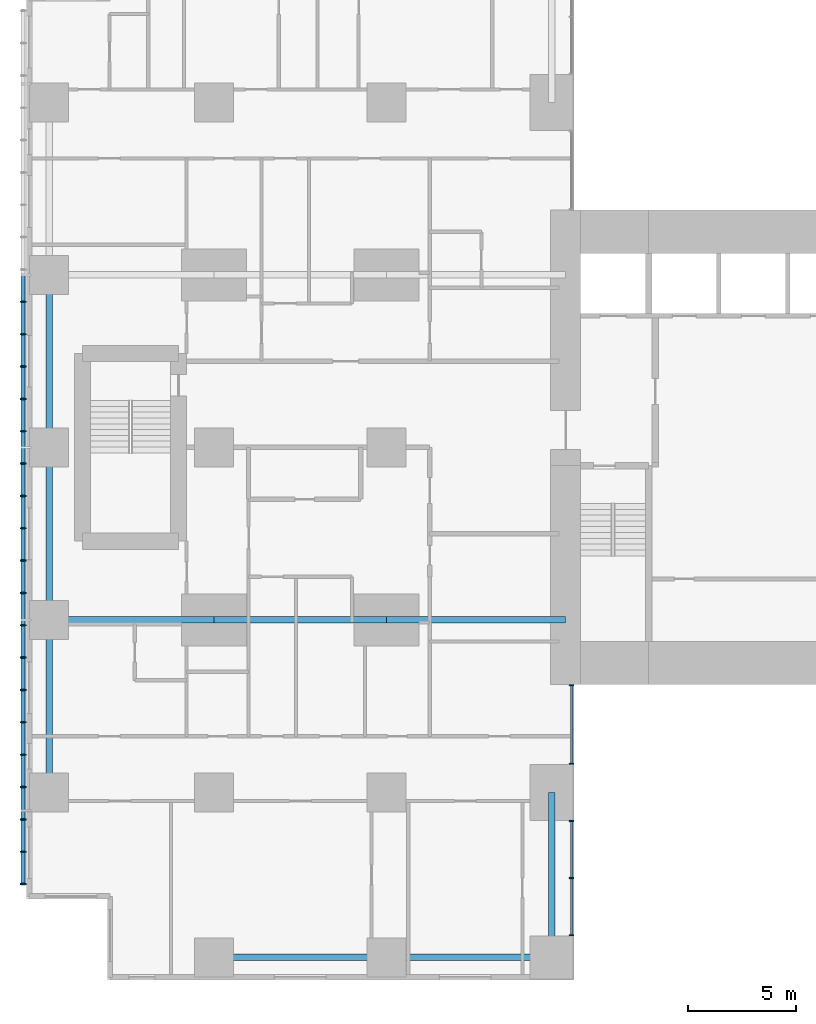
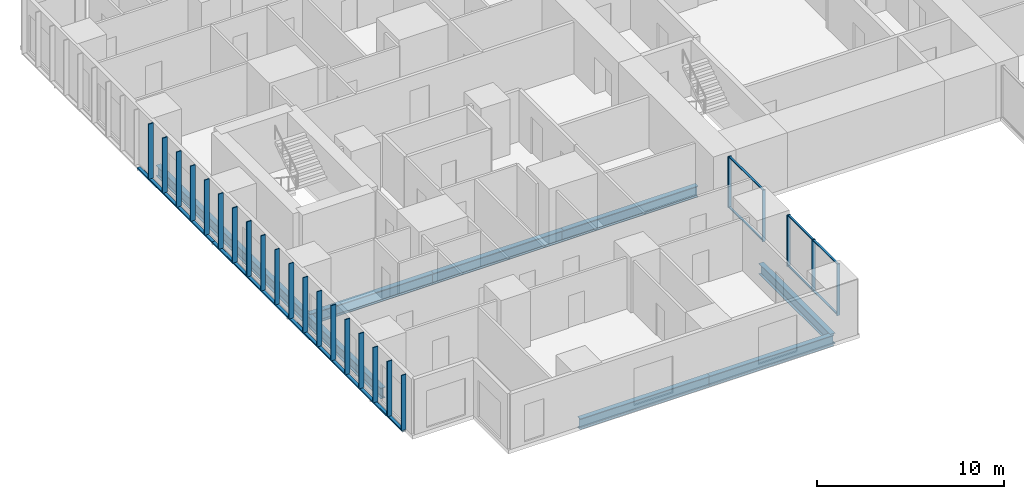
# One storey, part 2 of 20: 33 members, 9 beams, 2 elements without a shape of their own.
"""IFC4 building model written with IfcOpenShell, lengths in metres."""

from ifc_helpers import new_model, si_unit, direction, frame, origin, origin_2d, place, context, subcontext, project, spatial, rectangle, hollow_rectangle, i_section, extrude, material, layer, layer_set, material_profile, profile_set, type_object, element, aggregate, save


model = new_model("IFC4")

# Units and contexts
model_context = context("Model", 3, precision=1e-05, world=origin(), true_north=direction((0.0, 1.0)))
body_context = subcontext(model_context, "Body", "Model", "MODEL_VIEW")
ifc_project = project(units=[si_unit("LENGTHUNIT", "METRE"), si_unit("AREAUNIT", "SQUARE_METRE"), si_unit("VOLUMEUNIT", "CUBIC_METRE"), si_unit("PLANEANGLEUNIT", "RADIAN"), si_unit("MASSUNIT", "GRAM", prefix="KILO")], contexts=[model_context])

# Site, building, storey
site_placement = place(None, origin())
site = spatial("IfcSite", under=ifc_project, at=site_placement, CompositionType="ELEMENT")
building_placement = place(site_placement, origin())
building = spatial("IfcBuilding", under=site, at=building_placement, Name="Cleftline Residences", CompositionType="ELEMENT")
storey_placement = place(building_placement, frame((0.0, 0.0, 211.0)))
storey = spatial("IfcBuildingStorey", under=building, at=storey_placement, Name="L55", CompositionType="ELEMENT", Elevation=211.0)

# Members
ifc_material_1 = material(Name="Steel S355, hot-dip galvanised", Category="steel")
ifc_material_profile_1 = material_profile(ifc_material_1, hollow_rectangle(XDim=0.10009765625, YDim=0.199951171875, WallThickness=0.008056640625, InnerFilletRadius=0.008056640625, OuterFilletRadius=0.011962890625, at=origin_2d()))
ifc_profile_set_1 = profile_set([ifc_material_profile_1], Name="Steel S355, hot-dip galvanised")
member_type_1 = type_object("IfcMemberType", Name="BAGUETTE CARRIER RHS 200X100X8", PredefinedType="USERDEFINED", material=ifc_profile_set_1)
for number, where, z_axis, x_axis, name in (
    (1, (-0.85009765625, 32.0, -0.050048828125), (0.0, -1.0, 0.0), (0.0, 0.0, 1.0), "Baguette carrier"),
    (2, (-0.85009765625, 24.0, -0.050048828125), (0.0, -1.0, 0.0), (0.0, 0.0, 1.0), "Baguette carrier"),
):
    element("IfcMember", number, at=place(storey_placement, frame(where, z_axis=z_axis, x_axis=x_axis)), inside=storey, type_object=member_type_1, Name=name, ObjectType="BAGUETTE CARRIER", PredefinedType="USERDEFINED", context=body_context, shape_type="SweptSolid", body=[
        extrude(hollow_rectangle(XDim=0.10009765625, YDim=0.199951171875, WallThickness=0.008056640625, InnerFilletRadius=0.008056640625, OuterFilletRadius=0.011962890625, at=origin_2d()), origin(), (0.0, 0.0, 1.0), 8.0),
    ])
member_1_placement = place(storey_placement, frame((-0.85009765625, 16.0, -0.050048828125), z_axis=(0.0, -1.0, 0.0), x_axis=(0.0, 0.0, 1.0)))
element("IfcMember", 3, at=member_1_placement, inside=storey, type_object=member_type_1, Name="Baguette carrier", ObjectType="BAGUETTE CARRIER", PredefinedType="USERDEFINED", context=body_context, shape_type="SweptSolid", body=[
    extrude(hollow_rectangle(XDim=0.10009765625, YDim=0.199951171875, WallThickness=0.008056640625, InnerFilletRadius=0.008056640625, OuterFilletRadius=0.011962890625, at=origin_2d()), origin(), (0.0, 0.0, 1.0), 12.300048828125),
])

# Beams
ifc_material_2 = material(Name="Steel S355", Category="steel")
ifc_material_profile_2 = material_profile(ifc_material_2, i_section(OverallWidth=0.300048828125, OverallDepth=0.699951171875, WebThickness=0.01708984375, FlangeThickness=0.031982421875, FilletRadius=0.027099609375, at=origin_2d()))
ifc_profile_set_2 = profile_set([ifc_material_profile_2], Name="Steel S355")
beam_type_1 = type_object("IfcBeamType", Name="BEAM HEB 700", PredefinedType="BEAM", material=ifc_profile_set_2)
for number, where, z_axis, x_axis, name in (
    (4, (0.35009765625, 8.0, -0.60009765625), (0.0, 1.0, 0.0), (-1.0, 0.0, 0.0), "Edge beam"),
    (5, (0.35009765625, 16.0, -0.60009765625), (0.0, 1.0, 0.0), (-1.0, 0.0, 0.0), "Edge beam"),
    (6, (0.35009765625, 24.0, -0.60009765625), (0.0, 1.0, 0.0), (-1.0, 0.0, 0.0), "Edge beam"),
    (7, (8.0, 0.35009765625, -0.60009765625), (1.0, 0.0, 0.0), (0.0, 1.0, 0.0), "Edge beam"),
):
    element("IfcBeam", number, at=place(storey_placement, frame(where, z_axis=z_axis, x_axis=x_axis)), inside=storey, type_object=beam_type_1, Name=name, PredefinedType="BEAM", context=body_context, shape_type="SweptSolid", body=[
        extrude(i_section(OverallWidth=0.300048828125, OverallDepth=0.699951171875, WebThickness=0.01708984375, FlangeThickness=0.031982421875, FilletRadius=0.027099609375, at=origin_2d()), origin(), (0.0, 0.0, 1.0), 8.0),
    ])
for number, where, z_axis, x_axis, name in (
    (8, (16.0, 0.35009765625, -0.60009765625), (1.0, 0.0, 0.0), (0.0, 1.0, 0.0), "Edge beam"),
    (9, (23.64990234375, 0.35009765625, -0.60009765625), (0.0, 1.0, 0.0), (-1.0, 0.0, 0.0), "Edge beam"),
):
    element("IfcBeam", number, at=place(storey_placement, frame(where, z_axis=z_axis, x_axis=x_axis)), inside=storey, type_object=beam_type_1, Name=name, PredefinedType="BEAM", context=body_context, shape_type="SweptSolid", body=[
        extrude(i_section(OverallWidth=0.300048828125, OverallDepth=0.699951171875, WebThickness=0.01708984375, FlangeThickness=0.031982421875, FilletRadius=0.027099609375, at=origin_2d()), origin(), (0.0, 0.0, 1.0), 7.64990234375),
    ])
ifc_material_3 = material(Name="Steel S355", Category="steel")
ifc_material_profile_3 = material_profile(ifc_material_3, i_section(OverallWidth=0.303955078125, OverallDepth=0.716064453125, WebThickness=0.02099609375, FlangeThickness=0.0400390625, FilletRadius=0.027099609375, at=origin_2d()))
ifc_profile_set_3 = profile_set([ifc_material_profile_3], Name="Steel S355")
beam_type_2 = type_object("IfcBeamType", Name="BEAM HEM 700", PredefinedType="BEAM", material=ifc_profile_set_3)
beam_1_placement = place(storey_placement, frame((0.35009765625, 16.0, -0.60791015625), z_axis=(1.0, 0.0, 0.0), x_axis=(0.0, 1.0, 0.0)))
element("IfcBeam", 10, at=beam_1_placement, inside=storey, type_object=beam_type_2, Name="Band beam", PredefinedType="BEAM", context=body_context, shape_type="SweptSolid", body=[
    extrude(i_section(OverallWidth=0.303955078125, OverallDepth=0.716064453125, WebThickness=0.02099609375, FlangeThickness=0.0400390625, FilletRadius=0.027099609375, at=origin_2d()), origin(), (0.0, 0.0, 1.0), 7.64990234375),
])
beam_2_placement = place(storey_placement, frame((8.0, 16.0, -0.60791015625), z_axis=(1.0, 0.0, 0.0), x_axis=(0.0, 1.0, 0.0)))
element("IfcBeam", 11, at=beam_2_placement, inside=storey, type_object=beam_type_2, Name="Band beam", PredefinedType="BEAM", context=body_context, shape_type="SweptSolid", body=[
    extrude(i_section(OverallWidth=0.303955078125, OverallDepth=0.716064453125, WebThickness=0.02099609375, FlangeThickness=0.0400390625, FilletRadius=0.027099609375, at=origin_2d()), origin(), (0.0, 0.0, 1.0), 8.0),
])
beam_3_placement = place(storey_placement, frame((16.0, 16.0, -0.60791015625), z_axis=(1.0, 0.0, 0.0), x_axis=(0.0, 1.0, 0.0)))
element("IfcBeam", 12, at=beam_3_placement, inside=storey, type_object=beam_type_2, Name="Band beam", PredefinedType="BEAM", context=body_context, shape_type="SweptSolid", body=[
    extrude(i_section(OverallWidth=0.303955078125, OverallDepth=0.716064453125, WebThickness=0.02099609375, FlangeThickness=0.0400390625, FilletRadius=0.027099609375, at=origin_2d()), origin(), (0.0, 0.0, 1.0), 8.300048828125),
])

# Curtain wall, members
ifc_material_4 = material(Name="Aluminium framed curtain wall", Category="aluminium")
ifc_layer = layer(ifc_material_4, 0.199951171875)
ifc_layer_set = layer_set([ifc_layer], Name="CW1 CLEFT GLAZING")
curtain_wall_type = type_object("IfcCurtainWallType", Name="CW1 CLEFT GLAZING", PredefinedType="NOTDEFINED", material=ifc_layer_set)
curtain_wall_1_placement = place(storey_placement, origin())
curtain_wall_1 = element("IfcCurtainWall", 13, at=curtain_wall_1_placement, inside=storey, type_object=curtain_wall_type, Name="Curtain wall CW1", PredefinedType="NOTDEFINED")
ifc_material_5 = material(Name="Aluminium mullion", Category="aluminium")
ifc_material_profile_4 = material_profile(ifc_material_5, rectangle(XDim=0.199951171875, YDim=0.06005859375, at=origin_2d()))
ifc_profile_set_4 = profile_set([ifc_material_profile_4], Name="Aluminium mullion")
member_type_2 = type_object("IfcMemberType", Name="CW1 MULLION", PredefinedType="MULLION", material=ifc_profile_set_4)
member_2_placement = place(storey_placement, frame((24.574951171875, 1.3798828125, 0.0), z_axis=(0.0, 0.0, 1.0), x_axis=(-1.0, 0.0, 0.0)))
member_2 = element("IfcMember", 14, at=member_2_placement, type_object=member_type_2, Name="CW1 mullion 1", PredefinedType="MULLION", context=body_context, shape_type="SweptSolid", body=[
    extrude(rectangle(XDim=0.199951171875, YDim=0.06005859375, at=origin_2d()), origin(), (0.0, 0.0, 1.0), 3.35009765625),
])
member_3_placement = place(storey_placement, frame((24.574951171875, 4.02490234375, 0.0), z_axis=(0.0, 0.0, 1.0), x_axis=(-1.0, 0.0, 0.0)))
member_3 = element("IfcMember", 15, at=member_3_placement, type_object=member_type_2, Name="CW1 mullion 2", PredefinedType="MULLION", context=body_context, shape_type="SweptSolid", body=[
    extrude(rectangle(XDim=0.199951171875, YDim=0.06005859375, at=origin_2d()), origin(), (0.0, 0.0, 1.0), 3.35009765625),
])
member_4_placement = place(storey_placement, frame((24.574951171875, 6.669921875, 0.0), z_axis=(0.0, 0.0, 1.0), x_axis=(-1.0, 0.0, 0.0)))
member_4 = element("IfcMember", 16, at=member_4_placement, type_object=member_type_2, Name="CW1 mullion 3", PredefinedType="MULLION", context=body_context, shape_type="SweptSolid", body=[
    extrude(rectangle(XDim=0.199951171875, YDim=0.06005859375, at=origin_2d()), origin(), (0.0, 0.0, 1.0), 3.35009765625),
])

curtain_wall_2_placement = place(storey_placement, origin())
curtain_wall_2 = element("IfcCurtainWall", 17, at=curtain_wall_2_placement, inside=storey, type_object=curtain_wall_type, Name="Curtain wall CW1", PredefinedType="NOTDEFINED")
member_5_placement = place(storey_placement, frame((24.574951171875, 9.330078125, 0.0), z_axis=(0.0, 0.0, 1.0), x_axis=(-1.0, 0.0, 0.0)))
member_5 = element("IfcMember", 18, at=member_5_placement, type_object=member_type_2, Name="CW1 mullion 1", PredefinedType="MULLION", context=body_context, shape_type="SweptSolid", body=[
    extrude(rectangle(XDim=0.199951171875, YDim=0.06005859375, at=origin_2d()), origin(), (0.0, 0.0, 1.0), 3.35009765625),
])
member_6_placement = place(storey_placement, frame((24.574951171875, 12.969970703125, 0.0), z_axis=(0.0, 0.0, 1.0), x_axis=(-1.0, 0.0, 0.0)))
member_6 = element("IfcMember", 19, at=member_6_placement, type_object=member_type_2, Name="CW1 mullion 2", PredefinedType="MULLION", context=body_context, shape_type="SweptSolid", body=[
    extrude(rectangle(XDim=0.199951171875, YDim=0.06005859375, at=origin_2d()), origin(), (0.0, 0.0, 1.0), 3.35009765625),
])

# Member
ifc_material_6 = material(Name="Aluminium transom", Category="aluminium")
ifc_material_profile_5 = material_profile(ifc_material_6, rectangle(XDim=0.1201171875, YDim=0.06005859375, at=origin_2d()))
ifc_profile_set_5 = profile_set([ifc_material_profile_5], Name="Aluminium transom")
member_type_3 = type_object("IfcMemberType", Name="CW1 TRANSOM", PredefinedType="USERDEFINED", material=ifc_profile_set_5)
member_7_placement = place(storey_placement, frame((24.574951171875, 1.409912109375, 0.030029296875), z_axis=(0.0, 1.0, 0.0), x_axis=(-1.0, 0.0, 0.0)))
member_7 = element("IfcMember", 20, at=member_7_placement, type_object=member_type_3, Name="CW1 transom 1.1", ObjectType="TRANSOM", PredefinedType="USERDEFINED", context=body_context, shape_type="SweptSolid", body=[
    extrude(rectangle(XDim=0.1201171875, YDim=0.06005859375, at=origin_2d()), origin(), (0.0, 0.0, 1.0), 2.585205078125),
])

member_8_placement = place(storey_placement, frame((24.574951171875, 1.409912109375, 3.320068359375), z_axis=(0.0, 1.0, 0.0), x_axis=(-1.0, 0.0, 0.0)))
member_8 = element("IfcMember", 21, at=member_8_placement, type_object=member_type_3, Name="CW1 transom 1.2", ObjectType="TRANSOM", PredefinedType="USERDEFINED", context=body_context, shape_type="SweptSolid", body=[
    extrude(rectangle(XDim=0.1201171875, YDim=0.06005859375, at=origin_2d()), origin(), (0.0, 0.0, 1.0), 2.585205078125),
])

member_9_placement = place(storey_placement, frame((24.574951171875, 4.054931640625, 0.030029296875), z_axis=(0.0, 1.0, 0.0), x_axis=(-1.0, 0.0, 0.0)))
member_9 = element("IfcMember", 22, at=member_9_placement, type_object=member_type_3, Name="CW1 transom 2.1", ObjectType="TRANSOM", PredefinedType="USERDEFINED", context=body_context, shape_type="SweptSolid", body=[
    extrude(rectangle(XDim=0.1201171875, YDim=0.06005859375, at=origin_2d()), origin(), (0.0, 0.0, 1.0), 2.5849609375),
])

member_10_placement = place(storey_placement, frame((24.574951171875, 4.054931640625, 3.320068359375), z_axis=(0.0, 1.0, 0.0), x_axis=(-1.0, 0.0, 0.0)))
member_10 = element("IfcMember", 23, at=member_10_placement, type_object=member_type_3, Name="CW1 transom 2.2", ObjectType="TRANSOM", PredefinedType="USERDEFINED", context=body_context, shape_type="SweptSolid", body=[
    extrude(rectangle(XDim=0.1201171875, YDim=0.06005859375, at=origin_2d()), origin(), (0.0, 0.0, 1.0), 2.5849609375),
])

aggregate(curtain_wall_1, [member_2, member_3, member_4, member_7, member_8, member_9, member_10])

member_11_placement = place(storey_placement, frame((24.574951171875, 9.360107421875, 0.030029296875), z_axis=(0.0, 1.0, 0.0), x_axis=(-1.0, 0.0, 0.0)))
member_11 = element("IfcMember", 24, at=member_11_placement, type_object=member_type_3, Name="CW1 transom 1.1", ObjectType="TRANSOM", PredefinedType="USERDEFINED", context=body_context, shape_type="SweptSolid", body=[
    extrude(rectangle(XDim=0.1201171875, YDim=0.06005859375, at=origin_2d()), origin(), (0.0, 0.0, 1.0), 3.579833984375),
])

member_12_placement = place(storey_placement, frame((24.574951171875, 9.360107421875, 3.320068359375), z_axis=(0.0, 1.0, 0.0), x_axis=(-1.0, 0.0, 0.0)))
member_12 = element("IfcMember", 25, at=member_12_placement, type_object=member_type_3, Name="CW1 transom 1.2", ObjectType="TRANSOM", PredefinedType="USERDEFINED", context=body_context, shape_type="SweptSolid", body=[
    extrude(rectangle(XDim=0.1201171875, YDim=0.06005859375, at=origin_2d()), origin(), (0.0, 0.0, 1.0), 3.579833984375),
])

aggregate(curtain_wall_2, [member_5, member_6, member_11, member_12])

# Members
ifc_material_7 = material(Name="Extruded terracotta", Category="masonry")
ifc_material_profile_6 = material_profile(ifc_material_7, rectangle(XDim=0.06005859375, YDim=0.300048828125, at=origin_2d()))
ifc_profile_set_6 = profile_set([ifc_material_profile_6], Name="Extruded terracotta")
member_type_4 = type_object("IfcMemberType", Name="TERRACOTTA BAGUETTE 60X300", PredefinedType="USERDEFINED", material=ifc_profile_set_6)
for number, where, z_axis, x_axis, name in (
    (26, (-0.85009765625, 30.75, 0.0), (0.0, 0.0, 1.0), (0.0, 1.0, 0.0), "Terracotta baguette"),
    (27, (-0.85009765625, 29.25, 0.0), (0.0, 0.0, 1.0), (0.0, 1.0, 0.0), "Terracotta baguette"),
    (28, (-0.85009765625, 27.75, 0.0), (0.0, 0.0, 1.0), (0.0, 1.0, 0.0), "Terracotta baguette"),
    (29, (-0.85009765625, 26.25, 0.0), (0.0, 0.0, 1.0), (0.0, 1.0, 0.0), "Terracotta baguette"),
    (30, (-0.85009765625, 24.75, 0.0), (0.0, 0.0, 1.0), (0.0, 1.0, 0.0), "Terracotta baguette"),
    (31, (-0.85009765625, 23.25, 0.0), (0.0, 0.0, 1.0), (0.0, 1.0, 0.0), "Terracotta baguette"),
    (32, (-0.85009765625, 21.75, 0.0), (0.0, 0.0, 1.0), (0.0, 1.0, 0.0), "Terracotta baguette"),
    (33, (-0.85009765625, 20.25, 0.0), (0.0, 0.0, 1.0), (0.0, 1.0, 0.0), "Terracotta baguette"),
    (34, (-0.85009765625, 18.75, 0.0), (0.0, 0.0, 1.0), (0.0, 1.0, 0.0), "Terracotta baguette"),
    (35, (-0.85009765625, 17.25, 0.0), (0.0, 0.0, 1.0), (0.0, 1.0, 0.0), "Terracotta baguette"),
    (36, (-0.85009765625, 15.75, 0.0), (0.0, 0.0, 1.0), (0.0, 1.0, 0.0), "Terracotta baguette"),
    (37, (-0.85009765625, 14.25, 0.0), (0.0, 0.0, 1.0), (0.0, 1.0, 0.0), "Terracotta baguette"),
    (38, (-0.85009765625, 12.75, 0.0), (0.0, 0.0, 1.0), (0.0, 1.0, 0.0), "Terracotta baguette"),
    (39, (-0.85009765625, 11.25, 0.0), (0.0, 0.0, 1.0), (0.0, 1.0, 0.0), "Terracotta baguette"),
    (40, (-0.85009765625, 9.75, 0.0), (0.0, 0.0, 1.0), (0.0, 1.0, 0.0), "Terracotta baguette"),
    (41, (-0.85009765625, 8.25, 0.0), (0.0, 0.0, 1.0), (0.0, 1.0, 0.0), "Terracotta baguette"),
    (42, (-0.85009765625, 6.75, 0.0), (0.0, 0.0, 1.0), (0.0, 1.0, 0.0), "Terracotta baguette"),
    (43, (-0.85009765625, 5.25, 0.0), (0.0, 0.0, 1.0), (0.0, 1.0, 0.0), "Terracotta baguette"),
    (44, (-0.85009765625, 3.75, 0.0), (0.0, 0.0, 1.0), (0.0, 1.0, 0.0), "Terracotta baguette"),
):
    element("IfcMember", number, at=place(storey_placement, frame(where, z_axis=z_axis, x_axis=x_axis)), inside=storey, type_object=member_type_4, Name=name, ObjectType="BAGUETTE", PredefinedType="USERDEFINED", context=body_context, shape_type="SweptSolid", body=[
        extrude(rectangle(XDim=0.06005859375, YDim=0.300048828125, at=origin_2d()), origin(), (0.0, 0.0, 1.0), 3.60009765625),
    ])

save(model, "model.ifc")
